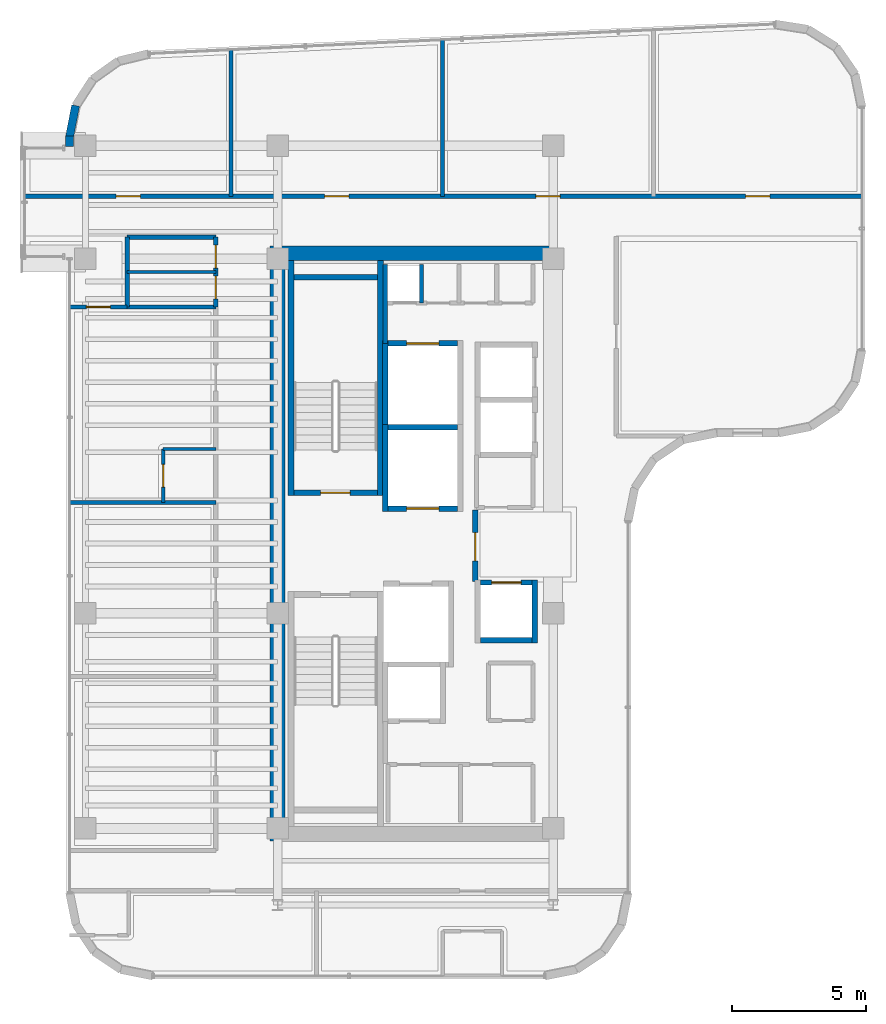
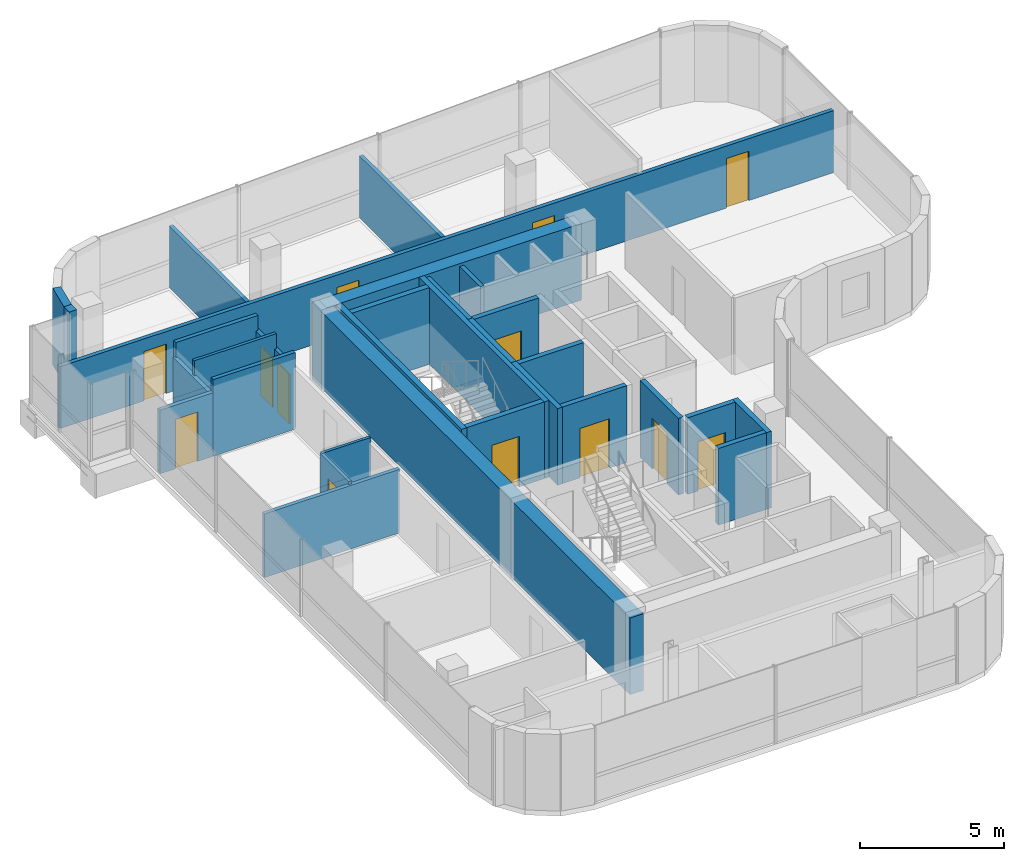
# One storey, part 17 of 21: 31 walls, 13 doors, 13 openings.
"""IFC4 building model written with IfcOpenShell, lengths in metres."""

from ifc_helpers import new_model, si_unit, direction, frame, frame_2d, origin, place, context, subcontext, project, spatial, rectangle, extrude, material, layer, layer_set, type_object, element, fill, save


model = new_model("IFC4")

# Units and contexts
model_context = context("Model", 3, precision=1e-05, world=origin(), true_north=direction((0.0, 1.0)))
body_context = subcontext(model_context, "Body", "Model", "MODEL_VIEW")
ifc_project = project(units=[si_unit("LENGTHUNIT", "METRE"), si_unit("AREAUNIT", "SQUARE_METRE"), si_unit("VOLUMEUNIT", "CUBIC_METRE"), si_unit("PLANEANGLEUNIT", "RADIAN"), si_unit("MASSUNIT", "GRAM", prefix="KILO")], contexts=[model_context])

# Site, building, storey
site_placement = place(None, origin())
site = spatial("IfcSite", under=ifc_project, at=site_placement, CompositionType="ELEMENT")
building_placement = place(site_placement, origin())
building = spatial("IfcBuilding", under=site, at=building_placement, Name="Valdorenza Pilgrim Sanctuary Tower", CompositionType="ELEMENT")
storey_placement = place(building_placement, frame((0.0, 0.0, 258.0)))
storey = spatial("IfcBuildingStorey", under=building, at=storey_placement, Name="L67", CompositionType="ELEMENT", Elevation=258.0)

# Walls
ifc_material_1 = material(Name="Acoustic twin-stud gypsum partition", Category="gypsum")
ifc_layer_1 = layer(ifc_material_1, 0.159912109375, Name="Acoustic twin-stud gypsum partition")
ifc_layer_set_1 = layer_set([ifc_layer_1], Name="Acoustic twin-stud gypsum partition")
wall_type_1 = type_object("IfcWallType", Name="WAL-COR-160", PredefinedType="PARTITIONING", material=ifc_layer_set_1)
wall_1_placement = place(storey_placement, frame((-18.64990234375, 7.449951171875, 0.0), z_axis=(0.0, 0.0, 1.0), x_axis=(0.0, 1.0, 0.0)))
element("IfcWall", 1, at=wall_1_placement, inside=storey, type_object=wall_type_1, Name="L67 Core A North Service West Wall", PredefinedType="PARTITIONING", context=body_context, shape_type="SweptSolid", body=[
    extrude(rectangle(XDim=2.929931640625, YDim=0.159912109375, at=frame_2d((1.46484375, 0.0))), origin(), (0.0, 0.0, 1.0), 3.260009765625),
])
wall_2_placement = place(storey_placement, frame((-17.300048828125, 8.949951171875, 0.0), z_axis=(0.0, 0.0, 1.0), x_axis=(0.0, 1.0, 0.0)))
element("IfcWall", 2, at=wall_2_placement, inside=storey, type_object=wall_type_1, Name="L67 Core Electrical Riser Wall", PredefinedType="PARTITIONING", context=body_context, shape_type="SweptSolid", body=[
    extrude(rectangle(XDim=1.429931640625, YDim=0.159912109375, at=frame_2d((0.71484375, 0.0))), origin(), (0.0, 0.0, 1.0), 3.260009765625),
])
wall_3_placement = place(storey_placement, frame((-28.25, 8.800048828125, 0.0), z_axis=(0.0, 0.0, 1.0), x_axis=(0.0, 1.0, 0.0)))
element("IfcWall", 3, at=wall_3_placement, inside=storey, type_object=wall_type_1, Name="L67 Washroom West Wall", PredefinedType="PARTITIONING", context=body_context, shape_type="SweptSolid", body=[
    extrude(rectangle(XDim=2.599853515625, YDim=0.159912109375, at=frame_2d((1.2998046875, 0.0))), origin(), (0.0, 0.0, 1.0), 2.623046875),
])

# Wall, openings, doors
wall_4_placement = place(storey_placement, frame((-24.949951171875, 8.800048828125, 0.0), z_axis=(0.0, 0.0, 1.0), x_axis=(0.0, 1.0, 0.0)))
wall_4 = element("IfcWall", 4, at=wall_4_placement, inside=storey, type_object=wall_type_1, Name="L67 Washroom East Wall", PredefinedType="PARTITIONING", context=body_context, shape_type="SweptSolid", body=[
    extrude(rectangle(XDim=2.599853515625, YDim=0.159912109375, at=frame_2d((1.2998046875, 0.0))), origin(), (0.0, 0.0, 1.0), 2.623046875),
])
opening_1_placement = place(wall_4_placement, frame((0.300048828125, 0.0, 0.0)))
opening_1 = element("IfcOpeningElement", 5, at=opening_1_placement, cuts=wall_4, Name="Opening DR-WC1", PredefinedType="OPENING", context=body_context, shape_type="SweptSolid", body=[
    extrude(rectangle(XDim=0.85009765625, YDim=2.10009765625, at=frame_2d((0.425048828125, 1.050048828125))), frame((0.0, 0.0947265625, 0.0), z_axis=(0.0, -1.0, 0.0), x_axis=(1.0, 0.0, 0.0)), (0.0, 0.0, 1.0), 0.189697265625),
])
opening_2_placement = place(wall_4_placement, frame((1.449951171875, 0.0, 0.0)))
opening_2 = element("IfcOpeningElement", 6, at=opening_2_placement, cuts=wall_4, Name="Opening DR-WC1", PredefinedType="OPENING", context=body_context, shape_type="SweptSolid", body=[
    extrude(rectangle(XDim=0.85009765625, YDim=2.10009765625, at=frame_2d((0.425048828125, 1.050048828125))), frame((0.0, 0.0947265625, 0.0), z_axis=(0.0, -1.0, 0.0), x_axis=(1.0, 0.0, 0.0)), (0.0, 0.0, 1.0), 0.189697265625),
])
ifc_material_2 = material(Name="Moisture-resistant lacquered timber", Category="wood")
door_type_1 = type_object("IfcDoorType", Name="DR-BATH-850", OperationType="NOTDEFINED", PredefinedType="DOOR", material=ifc_material_2)
door_1_placement = place(opening_1_placement, origin())
door_1 = element("IfcDoor", 7, at=door_1_placement, inside=storey, type_object=door_type_1, Name="L67 Accessible Washroom Door", OperationType="SINGLE_SWING_LEFT", OverallHeight=2.10009765625, OverallWidth=0.85009765625, PredefinedType="DOOR", context=body_context, shape_type="SweptSolid", body=[
    extrude(rectangle(XDim=0.85009765625, YDim=2.10009765625, at=frame_2d((0.425048828125, 1.050048828125))), frame((0.0, 0.02490234375, 0.0), z_axis=(0.0, -1.0, 0.0), x_axis=(1.0, 0.0, 0.0)), (0.0, 0.0, 1.0), 0.050048828125),
])
fill(opening_1, door_1)
door_2_placement = place(opening_2_placement, origin())
door_2 = element("IfcDoor", 8, at=door_2_placement, inside=storey, type_object=door_type_1, Name="L67 Public Washroom Door", OperationType="SINGLE_SWING_RIGHT", OverallHeight=2.10009765625, OverallWidth=0.85009765625, PredefinedType="DOOR", context=body_context, shape_type="SweptSolid", body=[
    extrude(rectangle(XDim=0.85009765625, YDim=2.10009765625, at=frame_2d((0.425048828125, 1.050048828125))), frame((0.0, 0.02490234375, 0.0), z_axis=(0.0, -1.0, 0.0), x_axis=(1.0, 0.0, 0.0)), (0.0, 0.0, 1.0), 0.050048828125),
])
fill(opening_2, door_2)

# Walls
for number, where, z_axis, x_axis, name in (
    (9, (-28.25, 8.800048828125, 0.0), (0.0, 0.0, 1.0), (1.0, 0.0, 0.0), "L67 Washroom South Wall"),
    (10, (-28.25, 11.39990234375, 0.0), (0.0, 0.0, 1.0), (1.0, 0.0, 0.0), "L67 Washroom North Wall"),
):
    element("IfcWall", number, at=place(storey_placement, frame(where, z_axis=z_axis, x_axis=x_axis)), inside=storey, type_object=wall_type_1, Name=name, PredefinedType="PARTITIONING", context=body_context, shape_type="SweptSolid", body=[
        extrude(rectangle(XDim=3.300048828125, YDim=0.159912109375, at=frame_2d((1.64990234375, 0.0))), origin(), (0.0, 0.0, 1.0), 3.260009765625),
    ])

# Wall, opening, door
wall_5_placement = place(storey_placement, frame((-30.389892578125, 8.800048828125, 0.0), z_axis=(0.0, 0.0, 1.0), x_axis=(1.0, 0.0, 0.0)))
wall_5 = element("IfcWall", 11, at=wall_5_placement, inside=storey, type_object=wall_type_1, Name="L67 West North Alcove Wall", PredefinedType="PARTITIONING", context=body_context, shape_type="SweptSolid", body=[
    extrude(rectangle(XDim=2.139892578125, YDim=0.159912109375, at=frame_2d((1.06982421875, 0.0))), origin(), (0.0, 0.0, 1.0), 2.7060546875),
])
opening_3_placement = place(wall_5_placement, frame((0.6201171875, 0.0, 0.0)))
opening_3 = element("IfcOpeningElement", 12, at=opening_3_placement, cuts=wall_5, Name="Opening DR-RM1", PredefinedType="OPENING", context=body_context, shape_type="SweptSolid", body=[
    extrude(rectangle(XDim=0.89990234375, YDim=2.10009765625, at=frame_2d((0.449951171875, 1.050048828125))), frame((0.0, 0.0947265625, 0.0), z_axis=(0.0, -1.0, 0.0), x_axis=(1.0, 0.0, 0.0)), (0.0, 0.0, 1.0), 0.189697265625),
])
ifc_material_3 = material(Name="Solid-core European oak timber", Category="wood")
door_type_2 = type_object("IfcDoorType", Name="DR-ROOM-900", OperationType="NOTDEFINED", PredefinedType="DOOR", material=ifc_material_3)
door_3_placement = place(opening_3_placement, frame((0.89990234375, 0.0, 0.0), z_axis=(0.0, 0.0, 1.0), x_axis=(-1.0, 0.0, 0.0)))
door_3 = element("IfcDoor", 13, at=door_3_placement, inside=storey, type_object=door_type_2, Name="L67 Pilgrim Scholar Office L67-WN Door", OperationType="SINGLE_SWING_LEFT", OverallHeight=2.10009765625, OverallWidth=0.89990234375, PredefinedType="DOOR", context=body_context, shape_type="SweptSolid", body=[
    extrude(rectangle(XDim=0.89990234375, YDim=2.10009765625, at=frame_2d((0.449951171875, 1.050048828125))), frame((0.0, 0.02490234375, 0.0), z_axis=(0.0, -1.0, 0.0), x_axis=(1.0, 0.0, 0.0)), (0.0, 0.0, 1.0), 0.050048828125),
])
fill(opening_3, door_3)

# Wall, openings, doors
wall_6_placement = place(storey_placement, frame((-32.0400390625, 12.919921875, 0.0), z_axis=(0.0, 0.0, 1.0), x_axis=(1.0, 0.0, 0.0)))
wall_6 = element("IfcWall", 14, at=wall_6_placement, inside=storey, type_object=wall_type_1, Name="L67 North Corridor Wall", PredefinedType="PARTITIONING", context=body_context, shape_type="SweptSolid", body=[
    extrude(rectangle(XDim=31.130126953125, YDim=0.159912109375, at=frame_2d((15.56494140625, 0.0))), origin(), (0.0, 0.0, 1.0), 2.634033203125),
])
opening_4_placement = place(wall_6_placement, frame((3.3798828125, 0.0, 0.0)))
opening_4 = element("IfcOpeningElement", 15, at=opening_4_placement, cuts=wall_6, Name="Opening DR-RM1", PredefinedType="OPENING", context=body_context, shape_type="SweptSolid", body=[
    extrude(rectangle(XDim=0.89990234375, YDim=2.10009765625, at=frame_2d((0.449951171875, 1.050048828125))), frame((0.0, 0.0947265625, 0.0), z_axis=(0.0, -1.0, 0.0), x_axis=(1.0, 0.0, 0.0)), (0.0, 0.0, 1.0), 0.189697265625),
])
opening_5_placement = place(wall_6_placement, frame((11.139892578125, 0.0, 0.0)))
opening_5 = element("IfcOpeningElement", 16, at=opening_5_placement, cuts=wall_6, Name="Opening DR-RM1", PredefinedType="OPENING", context=body_context, shape_type="SweptSolid", body=[
    extrude(rectangle(XDim=0.89990234375, YDim=2.10009765625, at=frame_2d((0.449951171875, 1.050048828125))), frame((0.0, 0.0947265625, 0.0), z_axis=(0.0, -1.0, 0.0), x_axis=(1.0, 0.0, 0.0)), (0.0, 0.0, 1.0), 0.189697265625),
])
opening_6_placement = place(wall_6_placement, frame((19.0, 0.0, 0.0)))
opening_6 = element("IfcOpeningElement", 17, at=opening_6_placement, cuts=wall_6, Name="Opening DR-RM1", PredefinedType="OPENING", context=body_context, shape_type="SweptSolid", body=[
    extrude(rectangle(XDim=0.89990234375, YDim=2.10009765625, at=frame_2d((0.449951171875, 1.050048828125))), frame((0.0, 0.0947265625, 0.0), z_axis=(0.0, -1.0, 0.0), x_axis=(1.0, 0.0, 0.0)), (0.0, 0.0, 1.0), 0.189697265625),
])
opening_7_placement = place(wall_6_placement, frame((26.804931640625, 0.0, 0.0)))
opening_7 = element("IfcOpeningElement", 18, at=opening_7_placement, cuts=wall_6, Name="Opening DR-RM1", PredefinedType="OPENING", context=body_context, shape_type="SweptSolid", body=[
    extrude(rectangle(XDim=0.89990234375, YDim=2.10009765625, at=frame_2d((0.449951171875, 1.050048828125))), frame((0.0, 0.0947265625, 0.0), z_axis=(0.0, -1.0, 0.0), x_axis=(1.0, 0.0, 0.0)), (0.0, 0.0, 1.0), 0.189697265625),
])
door_4_placement = place(opening_4_placement, origin())
door_4 = element("IfcDoor", 19, at=door_4_placement, inside=storey, type_object=door_type_2, Name="L67 Sanctuary Administration Office L67-N1 Door", OperationType="SINGLE_SWING_RIGHT", OverallHeight=2.10009765625, OverallWidth=0.89990234375, PredefinedType="DOOR", context=body_context, shape_type="SweptSolid", body=[
    extrude(rectangle(XDim=0.89990234375, YDim=2.10009765625, at=frame_2d((0.449951171875, 1.050048828125))), frame((0.0, 0.02490234375, 0.0), z_axis=(0.0, -1.0, 0.0), x_axis=(1.0, 0.0, 0.0)), (0.0, 0.0, 1.0), 0.050048828125),
])
fill(opening_4, door_4)
door_5_placement = place(opening_5_placement, frame((0.89990234375, 0.0, 0.0), z_axis=(0.0, 0.0, 1.0), x_axis=(-1.0, 0.0, 0.0)))
door_5 = element("IfcDoor", 20, at=door_5_placement, inside=storey, type_object=door_type_2, Name="L67 Sanctuary Administration Office L67-N2 Door", OperationType="SINGLE_SWING_LEFT", OverallHeight=2.10009765625, OverallWidth=0.89990234375, PredefinedType="DOOR", context=body_context, shape_type="SweptSolid", body=[
    extrude(rectangle(XDim=0.89990234375, YDim=2.10009765625, at=frame_2d((0.449951171875, 1.050048828125))), frame((0.0, 0.02490234375, 0.0), z_axis=(0.0, -1.0, 0.0), x_axis=(1.0, 0.0, 0.0)), (0.0, 0.0, 1.0), 0.050048828125),
])
fill(opening_5, door_5)
door_6_placement = place(opening_6_placement, origin())
door_6 = element("IfcDoor", 21, at=door_6_placement, inside=storey, type_object=door_type_2, Name="L67 Sanctuary Administration Office L67-N3 Door", OperationType="SINGLE_SWING_RIGHT", OverallHeight=2.10009765625, OverallWidth=0.89990234375, PredefinedType="DOOR", context=body_context, shape_type="SweptSolid", body=[
    extrude(rectangle(XDim=0.89990234375, YDim=2.10009765625, at=frame_2d((0.449951171875, 1.050048828125))), frame((0.0, 0.02490234375, 0.0), z_axis=(0.0, -1.0, 0.0), x_axis=(1.0, 0.0, 0.0)), (0.0, 0.0, 1.0), 0.050048828125),
])
fill(opening_6, door_6)
door_7_placement = place(opening_7_placement, frame((0.89990234375, 0.0, 0.0), z_axis=(0.0, 0.0, 1.0), x_axis=(-1.0, 0.0, 0.0)))
door_7 = element("IfcDoor", 22, at=door_7_placement, inside=storey, type_object=door_type_2, Name="L67 Sanctuary Administration Office L67-N4 Door", OperationType="SINGLE_SWING_LEFT", OverallHeight=2.10009765625, OverallWidth=0.89990234375, PredefinedType="DOOR", context=body_context, shape_type="SweptSolid", body=[
    extrude(rectangle(XDim=0.89990234375, YDim=2.10009765625, at=frame_2d((0.449951171875, 1.050048828125))), frame((0.0, 0.02490234375, 0.0), z_axis=(0.0, -1.0, 0.0), x_axis=(1.0, 0.0, 0.0)), (0.0, 0.0, 1.0), 0.050048828125),
])
fill(opening_7, door_7)

# Walls
ifc_material_4 = material(Name="Concrete C50/60", Category="concrete")
ifc_layer_2 = layer(ifc_material_4, 0.550048828125, Name="Concrete C50/60")
ifc_layer_set_2 = layer_set([ifc_layer_2], Name="Concrete C50/60")
wall_type_2 = type_object("IfcWallType", Name="WAL-COR-550", PredefinedType="SHEAR", material=ifc_layer_set_2)
wall_7_placement = place(storey_placement, frame((-22.64990234375, -11.074951171875, 0.0), z_axis=(0.0, 0.0, 1.0), x_axis=(0.0, 1.0, 0.0)))
element("IfcWall", 23, at=wall_7_placement, inside=storey, type_object=wall_type_2, Name="L67 Split Core A Shear Wall W", PredefinedType="SHEAR", context=body_context, shape_type="SweptSolid", body=[
    extrude(rectangle(XDim=22.14990234375, YDim=0.550048828125, at=frame_2d((11.074951171875, 0.0))), origin(), (0.0, 0.0, 1.0), 3.260009765625),
])
wall_8_placement = place(storey_placement, frame((-22.64990234375, 10.800048828125, 0.0), z_axis=(0.0, 0.0, 1.0), x_axis=(1.0, 0.0, 0.0)))
element("IfcWall", 24, at=wall_8_placement, inside=storey, type_object=wall_type_2, Name="L67 Split Core A Shear Wall N", PredefinedType="SHEAR", context=body_context, shape_type="SweptSolid", body=[
    extrude(rectangle(XDim=10.25, YDim=0.550048828125, at=frame_2d((5.125, 0.0))), origin(), (0.0, 0.0, 1.0), 3.260009765625),
])
ifc_material_5 = material(Name="Honed travertine limestone", Category="masonry")
ifc_layer_3 = layer(ifc_material_5, 0.300048828125, Name="Honed travertine limestone")
ifc_layer_set_3 = layer_set([ifc_layer_3], Name="Honed travertine limestone")
wall_type_3 = type_object("IfcWallType", Name="WAL-EXT-300", PredefinedType="SOLIDWALL", material=ifc_layer_set_3)
wall_9_placement = place(storey_placement, frame((-30.389892578125, 14.780029296875, 0.0), z_axis=(0.0, 0.0, 1.0), x_axis=(0.0, 1.0, 0.0)))
element("IfcWall", 25, at=wall_9_placement, inside=storey, type_object=wall_type_3, Name="L67 Facade Box Closure Stone Jamb 2", PredefinedType="SOLIDWALL", context=body_context, shape_type="SweptSolid", body=[
    extrude(rectangle(XDim=0.376708984375, YDim=0.300048828125, at=frame_2d((0.1884765625, 0.0))), origin(), (0.0, 0.0, 1.0), 3.260009765625),
])
wall_10_placement = place(storey_placement, frame((-30.389892578125, 15.13671875, 0.0), z_axis=(0.0, 0.0, 1.0), x_axis=(0.189307792679, 0.981917796779, 0.0)))
element("IfcWall", 26, at=wall_10_placement, inside=storey, type_object=wall_type_3, Name="L67 Rounded Wind-Corner Stone Pier 2", PredefinedType="SOLIDWALL", context=body_context, shape_type="SweptSolid", body=[
    extrude(rectangle(XDim=1.179931640625, YDim=0.300048828125, at=frame_2d((0.58984375, 0.0))), origin(), (0.0, 0.0, 1.0), 3.260009765625),
])

# Wall, opening, door
ifc_material_6 = material(Name="Gypsum shaftwall partition", Category="gypsum")
ifc_layer_4 = layer(ifc_material_6, 0.199951171875, Name="Gypsum shaftwall partition")
ifc_layer_set_4 = layer_set([ifc_layer_4], Name="Gypsum shaftwall partition")
wall_type_4 = type_object("IfcWallType", Name="WAL-FFL-200", PredefinedType="PARTITIONING", material=ifc_layer_set_4)
wall_11_placement = place(storey_placement, frame((-15.300048828125, -1.419921875, 0.0), z_axis=(0.0, 0.0, 1.0), x_axis=(0.0, 1.0, 0.0)))
wall_11 = element("IfcWall", 27, at=wall_11_placement, inside=storey, type_object=wall_type_4, Name="L67 Core A Firefighting Lobby East Wall", PredefinedType="PARTITIONING", context=body_context, shape_type="SweptSolid", body=[
    extrude(rectangle(XDim=2.669921875, YDim=0.199951171875, at=frame_2d((1.3349609375, 0.0))), origin(), (0.0, 0.0, 1.0), 3.260009765625),
])
opening_8_placement = place(wall_11_placement, frame((0.780029296875, 0.0, 0.0)))
opening_8 = element("IfcOpeningElement", 28, at=opening_8_placement, cuts=wall_11, Name="Opening DR-FL1", PredefinedType="OPENING", context=body_context, shape_type="SweptSolid", body=[
    extrude(rectangle(XDim=1.050048828125, YDim=2.14990234375, at=frame_2d((0.52490234375, 1.074951171875))), frame((0.0, 0.11474609375, 0.0), z_axis=(0.0, -1.0, 0.0), x_axis=(1.0, 0.0, 0.0)), (0.0, 0.0, 1.0), 0.229736328125),
])
ifc_material_7 = material(Name="Painted galvanized steel", Category="steel")
door_type_3 = type_object("IfcDoorType", Name="DR-FFL-1050", OperationType="NOTDEFINED", PredefinedType="DOOR", material=ifc_material_7)
door_8_placement = place(opening_8_placement, origin())
door_8 = element("IfcDoor", 29, at=door_8_placement, inside=storey, type_object=door_type_3, Name="L67 Core A Firefighting Lobby Door", OperationType="SINGLE_SWING_RIGHT", OverallHeight=2.14990234375, OverallWidth=1.050048828125, PredefinedType="DOOR", context=body_context, shape_type="SweptSolid", body=[
    extrude(rectangle(XDim=1.050048828125, YDim=2.14990234375, at=frame_2d((0.52490234375, 1.074951171875))), frame((0.0, 0.02490234375, 0.0), z_axis=(0.0, -1.0, 0.0), x_axis=(1.0, 0.0, 0.0)), (0.0, 0.0, 1.0), 0.050048828125),
])
fill(opening_8, door_8)

# Walls
ifc_material_8 = material(Name="Moisture-resistant gypsum partition", Category="gypsum")
ifc_layer_5 = layer(ifc_material_8, 0.1201171875, Name="Moisture-resistant gypsum partition")
ifc_layer_set_5 = layer_set([ifc_layer_5], Name="Moisture-resistant gypsum partition")
wall_type_5 = type_object("IfcWallType", Name="WAL-INT-120", PredefinedType="PARTITIONING", material=ifc_layer_set_5)
wall_12_placement = place(storey_placement, frame((-28.25, 10.10009765625, 0.0), z_axis=(0.0, 0.0, 1.0), x_axis=(1.0, 0.0, 0.0)))
element("IfcWall", 30, at=wall_12_placement, inside=storey, type_object=wall_type_5, Name="L67 Washroom Divider Wall", PredefinedType="PARTITIONING", context=body_context, shape_type="SweptSolid", body=[
    extrude(rectangle(XDim=3.300048828125, YDim=0.1201171875, at=frame_2d((1.64990234375, 0.0))), origin(), (0.0, 0.0, 1.0), 3.260009765625),
])
wall_13_placement = place(storey_placement, frame((-26.907958984375, 3.52099609375, 0.0), z_axis=(0.0, 0.0, 1.0), x_axis=(1.0, 0.0, 0.0)))
element("IfcWall", 31, at=wall_13_placement, inside=storey, type_object=wall_type_5, Name="L67 Sanctuary Guest Room L67-HW1 En-suite North Wall", PredefinedType="PARTITIONING", context=body_context, shape_type="SweptSolid", body=[
    extrude(rectangle(XDim=1.9580078125, YDim=0.1201171875, at=frame_2d((0.97900390625, 0.0))), origin(), (0.0, 0.0, 1.0), 2.839111328125),
])

# Wall, opening, door
wall_14_placement = place(storey_placement, frame((-26.907958984375, 1.52099609375, 0.0), z_axis=(0.0, 0.0, 1.0), x_axis=(0.0, 1.0, 0.0)))
wall_14 = element("IfcWall", 32, at=wall_14_placement, inside=storey, type_object=wall_type_5, Name="L67 Sanctuary Guest Room L67-HW1 En-suite Door Wall", PredefinedType="PARTITIONING", context=body_context, shape_type="SweptSolid", body=[
    extrude(rectangle(XDim=2.0, YDim=0.1201171875, at=frame_2d((1.0, 0.0))), origin(), (0.0, 0.0, 1.0), 2.839111328125),
])
opening_9_placement = place(wall_14_placement, frame((0.574951171875, 0.0, 0.0)))
opening_9 = element("IfcOpeningElement", 33, at=opening_9_placement, cuts=wall_14, Name="Opening DR-WC1", PredefinedType="OPENING", context=body_context, shape_type="SweptSolid", body=[
    extrude(rectangle(XDim=0.85009765625, YDim=2.10009765625, at=frame_2d((0.425048828125, 1.050048828125))), frame((0.0, 0.074951171875, 0.0), z_axis=(0.0, -1.0, 0.0), x_axis=(1.0, 0.0, 0.0)), (0.0, 0.0, 1.0), 0.14990234375),
])
door_9_placement = place(opening_9_placement, origin())
door_9 = element("IfcDoor", 34, at=door_9_placement, inside=storey, type_object=door_type_1, Name="L67 Sanctuary Guest Room L67-HW1 En-suite Bathroom Door", OperationType="SINGLE_SWING_LEFT", OverallHeight=2.10009765625, OverallWidth=0.85009765625, PredefinedType="DOOR", context=body_context, shape_type="SweptSolid", body=[
    extrude(rectangle(XDim=0.85009765625, YDim=2.10009765625, at=frame_2d((0.425048828125, 1.050048828125))), frame((0.0, 0.02490234375, 0.0), z_axis=(0.0, -1.0, 0.0), x_axis=(1.0, 0.0, 0.0)), (0.0, 0.0, 1.0), 0.050048828125),
])
fill(opening_9, door_9)

# Wall
ifc_material_9 = material(Name="Autoclaved aerated concrete blockwork", Category="masonry")
ifc_layer_6 = layer(ifc_material_9, 0.199951171875, Name="Autoclaved aerated concrete blockwork")
ifc_layer_set_6 = layer_set([ifc_layer_6], Name="Autoclaved aerated concrete blockwork")
wall_type_6 = type_object("IfcWallType", Name="WAL-SHF-200", PredefinedType="MOVABLE", material=ifc_layer_set_6)
wall_15_placement = place(storey_placement, frame((-18.64990234375, 1.199951171875, 0.0), z_axis=(0.0, 0.0, 1.0), x_axis=(0.0, 1.0, 0.0)))
element("IfcWall", 35, at=wall_15_placement, inside=storey, type_object=wall_type_6, Name="L67 Lift FFL-01 Hoistway Wall West", PredefinedType="MOVABLE", context=body_context, shape_type="SweptSolid", body=[
    extrude(rectangle(XDim=3.22509765625, YDim=0.199951171875, at=frame_2d((1.612548828125, 0.0))), origin(), (0.0, 0.0, 1.0), 3.260009765625),
])

# Wall, opening, door
wall_16_placement = place(storey_placement, frame((-18.550048828125, 1.300048828125, 0.0), z_axis=(0.0, 0.0, 1.0), x_axis=(1.0, 0.0, 0.0)))
wall_16 = element("IfcWall", 36, at=wall_16_placement, inside=storey, type_object=wall_type_6, Name="L67 Lift FFL-01 Hoistway Wall South", PredefinedType="MOVABLE", context=body_context, shape_type="SweptSolid", body=[
    extrude(rectangle(XDim=2.60009765625, YDim=0.199951171875, at=frame_2d((1.300048828125, 0.0))), origin(), (0.0, 0.0, 1.0), 3.260009765625),
])
opening_10_placement = place(wall_16_placement, frame((0.699951171875, 0.0, 0.0)))
opening_10 = element("IfcOpeningElement", 37, at=opening_10_placement, cuts=wall_16, Name="Opening LD-02", PredefinedType="OPENING", context=body_context, shape_type="SweptSolid", body=[
    extrude(rectangle(XDim=1.199951171875, YDim=2.10009765625, at=frame_2d((0.60009765625, 1.050048828125))), frame((0.0, 0.11474609375, 0.0), z_axis=(0.0, -1.0, 0.0), x_axis=(1.0, 0.0, 0.0)), (0.0, 0.0, 1.0), 0.229736328125),
])
ifc_material_10 = material(Name="Brushed stainless steel Grade 316", Category="steel")
door_type_4 = type_object("IfcDoorType", Name="DR-LFT-1200", OperationType="DOUBLE_DOOR_SLIDING", PredefinedType="DOOR", material=ifc_material_10)
door_10_placement = place(opening_10_placement, origin())
door_10 = element("IfcDoor", 38, at=door_10_placement, inside=storey, type_object=door_type_4, Name="L67 Lift FFL-01 Sliding Landing Door", OperationType="DOUBLE_DOOR_SLIDING", OverallHeight=2.10009765625, OverallWidth=1.199951171875, PredefinedType="DOOR", context=body_context, shape_type="SweptSolid", body=[
    extrude(rectangle(XDim=1.199951171875, YDim=2.10009765625, at=frame_2d((0.60009765625, 1.050048828125))), frame((0.0, 0.02490234375, 0.0), z_axis=(0.0, -1.0, 0.0), x_axis=(1.0, 0.0, 0.0)), (0.0, 0.0, 1.0), 0.050048828125),
])
fill(opening_10, door_10)

# Walls
wall_17_placement = place(storey_placement, frame((-18.550048828125, 4.324951171875, 0.0), z_axis=(0.0, 0.0, 1.0), x_axis=(1.0, 0.0, 0.0)))
element("IfcWall", 39, at=wall_17_placement, inside=storey, type_object=wall_type_6, Name="L67 Lift FFL-01 Hoistway Wall North", PredefinedType="MOVABLE", context=body_context, shape_type="SweptSolid", body=[
    extrude(rectangle(XDim=2.60009765625, YDim=0.199951171875, at=frame_2d((1.300048828125, 0.0))), origin(), (0.0, 0.0, 1.0), 3.260009765625),
])
wall_18_placement = place(storey_placement, frame((-18.64990234375, 4.22509765625, 0.0), z_axis=(0.0, 0.0, 1.0), x_axis=(0.0, 1.0, 0.0)))
element("IfcWall", 40, at=wall_18_placement, inside=storey, type_object=wall_type_6, Name="L67 Lift SVL-01 Hoistway Wall West", PredefinedType="MOVABLE", context=body_context, shape_type="SweptSolid", body=[
    extrude(rectangle(XDim=3.324951171875, YDim=0.199951171875, at=frame_2d((1.66259765625, 0.0))), origin(), (0.0, 0.0, 1.0), 3.260009765625),
])

# Wall, opening, door
wall_19_placement = place(storey_placement, frame((-18.550048828125, 7.449951171875, 0.0), z_axis=(0.0, 0.0, 1.0), x_axis=(1.0, 0.0, 0.0)))
wall_19 = element("IfcWall", 41, at=wall_19_placement, inside=storey, type_object=wall_type_6, Name="L67 Lift SVL-01 Hoistway Wall North", PredefinedType="MOVABLE", context=body_context, shape_type="SweptSolid", body=[
    extrude(rectangle(XDim=2.60009765625, YDim=0.199951171875, at=frame_2d((1.300048828125, 0.0))), origin(), (0.0, 0.0, 1.0), 3.260009765625),
])
opening_11_placement = place(wall_19_placement, frame((0.699951171875, 0.0, 0.0)))
opening_11 = element("IfcOpeningElement", 42, at=opening_11_placement, cuts=wall_19, Name="Opening LD-02", PredefinedType="OPENING", context=body_context, shape_type="SweptSolid", body=[
    extrude(rectangle(XDim=1.199951171875, YDim=2.10009765625, at=frame_2d((0.60009765625, 1.050048828125))), frame((0.0, 0.11474609375, 0.0), z_axis=(0.0, -1.0, 0.0), x_axis=(1.0, 0.0, 0.0)), (0.0, 0.0, 1.0), 0.229736328125),
])
door_11_placement = place(opening_11_placement, origin())
door_11 = element("IfcDoor", 43, at=door_11_placement, inside=storey, type_object=door_type_4, Name="L67 Lift SVL-01 Sliding Landing Door", OperationType="DOUBLE_DOOR_SLIDING", OverallHeight=2.10009765625, OverallWidth=1.199951171875, PredefinedType="DOOR", context=body_context, shape_type="SweptSolid", body=[
    extrude(rectangle(XDim=1.199951171875, YDim=2.10009765625, at=frame_2d((0.60009765625, 1.050048828125))), frame((0.0, 0.02490234375, 0.0), z_axis=(0.0, -1.0, 0.0), x_axis=(1.0, 0.0, 0.0)), (0.0, 0.0, 1.0), 0.050048828125),
])
fill(opening_11, door_11)

# Walls
wall_20_placement = place(storey_placement, frame((-13.080078125, -3.699951171875, 0.0), z_axis=(0.0, 0.0, 1.0), x_axis=(0.0, 1.0, 0.0)))
element("IfcWall", 44, at=wall_20_placement, inside=storey, type_object=wall_type_6, Name="L67 Lift PL-12 Hoistway Wall East", PredefinedType="MOVABLE", context=body_context, shape_type="SweptSolid", body=[
    extrude(rectangle(XDim=2.349853515625, YDim=0.199951171875, at=frame_2d((1.1748046875, 0.0))), origin(), (0.0, 0.0, 1.0), 3.260009765625),
])
wall_21_placement = place(storey_placement, frame((-15.10009765625, -3.60009765625, 0.0), z_axis=(0.0, 0.0, 1.0), x_axis=(1.0, 0.0, 0.0)))
element("IfcWall", 45, at=wall_21_placement, inside=storey, type_object=wall_type_6, Name="L67 Lift PL-12 Hoistway Wall South", PredefinedType="MOVABLE", context=body_context, shape_type="SweptSolid", body=[
    extrude(rectangle(XDim=1.920166015625, YDim=0.199951171875, at=frame_2d((0.9599609375, 0.0))), origin(), (0.0, 0.0, 1.0), 3.260009765625),
])

# Wall, opening, door
wall_22_placement = place(storey_placement, frame((-15.10009765625, -1.449951171875, 0.0), z_axis=(0.0, 0.0, 1.0), x_axis=(1.0, 0.0, 0.0)))
wall_22 = element("IfcWall", 46, at=wall_22_placement, inside=storey, type_object=wall_type_6, Name="L67 Lift PL-12 Hoistway Wall North", PredefinedType="MOVABLE", context=body_context, shape_type="SweptSolid", body=[
    extrude(rectangle(XDim=1.920166015625, YDim=0.199951171875, at=frame_2d((0.9599609375, 0.0))), origin(), (0.0, 0.0, 1.0), 3.260009765625),
])
opening_12_placement = place(wall_22_placement, frame((0.409912109375, 0.0, 0.0)))
opening_12 = element("IfcOpeningElement", 47, at=opening_12_placement, cuts=wall_22, Name="Opening LD-01", PredefinedType="OPENING", context=body_context, shape_type="SweptSolid", body=[
    extrude(rectangle(XDim=1.10009765625, YDim=2.10009765625, at=frame_2d((0.550048828125, 1.050048828125))), frame((0.0, 0.11474609375, 0.0), z_axis=(0.0, -1.0, 0.0), x_axis=(1.0, 0.0, 0.0)), (0.0, 0.0, 1.0), 0.229736328125),
])
door_type_5 = type_object("IfcDoorType", Name="DR-LFT-1100", OperationType="DOUBLE_DOOR_SLIDING", PredefinedType="DOOR", material=ifc_material_10)
door_12_placement = place(opening_12_placement, origin())
door_12 = element("IfcDoor", 48, at=door_12_placement, inside=storey, type_object=door_type_5, Name="L67 Lift PL-12 Sliding Landing Door", OperationType="DOUBLE_DOOR_SLIDING", OverallHeight=2.10009765625, OverallWidth=1.10009765625, PredefinedType="DOOR", context=body_context, shape_type="SweptSolid", body=[
    extrude(rectangle(XDim=1.10009765625, YDim=2.10009765625, at=frame_2d((0.550048828125, 1.050048828125))), frame((0.0, 0.02490234375, 0.0), z_axis=(0.0, -1.0, 0.0), x_axis=(1.0, 0.0, 0.0)), (0.0, 0.0, 1.0), 0.050048828125),
])
fill(opening_12, door_12)

# Walls
ifc_material_11 = material(Name="Concrete C40/50", Category="concrete")
ifc_layer_7 = layer(ifc_material_11, 0.219970703125, Name="Concrete C40/50")
ifc_layer_set_7 = layer_set([ifc_layer_7], Name="Concrete C40/50")
wall_type_7 = type_object("IfcWallType", Name="WAL-STR-SHF-220", PredefinedType="SHEAR", material=ifc_layer_set_7)
for number, where, z_axis, x_axis, name in (
    (49, (-22.159912109375, 1.780029296875, 0.0), (0.0, 0.0, 1.0), (0.0, 1.0, 0.0), "L67 ST-A1 Structural Stairwell Wall W"),
    (50, (-18.830078125, 1.780029296875, 0.0), (0.0, 0.0, 1.0), (0.0, 1.0, 0.0), "L67 ST-A1 Structural Stairwell Wall E"),
):
    element("IfcWall", number, at=place(storey_placement, frame(where, z_axis=z_axis, x_axis=x_axis)), inside=storey, type_object=wall_type_7, Name=name, PredefinedType="SHEAR", context=body_context, shape_type="SweptSolid", body=[
        extrude(rectangle(XDim=8.744873046875, YDim=0.219970703125, at=frame_2d((4.37255859375, 0.0))), origin(), (0.0, 0.0, 1.0), 3.260009765625),
    ])

# Wall, opening, door
wall_23_placement = place(storey_placement, frame((-22.050048828125, 1.889892578125, 0.0), z_axis=(0.0, 0.0, 1.0), x_axis=(1.0, 0.0, 0.0)))
wall_23 = element("IfcWall", 51, at=wall_23_placement, inside=storey, type_object=wall_type_7, Name="L67 ST-A1 Structural Stairwell Wall S", PredefinedType="SHEAR", context=body_context, shape_type="SweptSolid", body=[
    extrude(rectangle(XDim=3.110107421875, YDim=0.219970703125, at=frame_2d((1.55517578125, 0.0))), origin(), (0.0, 0.0, 1.0), 3.260009765625),
])
opening_13_placement = place(wall_23_placement, frame((1.0, 0.0, 0.0)))
opening_13 = element("IfcOpeningElement", 52, at=opening_13_placement, cuts=wall_23, Name="Opening DR-ST1", PredefinedType="OPENING", context=body_context, shape_type="SweptSolid", body=[
    extrude(rectangle(XDim=1.10009765625, YDim=2.14990234375, at=frame_2d((0.550048828125, 1.074951171875))), frame((0.0, 0.125, 0.0), z_axis=(0.0, -1.0, 0.0), x_axis=(1.0, 0.0, 0.0)), (0.0, 0.0, 1.0), 0.249755859375),
])
door_type_6 = type_object("IfcDoorType", Name="DR-STAIR-1100", OperationType="NOTDEFINED", PredefinedType="DOOR", material=ifc_material_7)
door_13_placement = place(opening_13_placement, frame((1.10009765625, 0.0, 0.0), z_axis=(0.0, 0.0, 1.0), x_axis=(-1.0, 0.0, 0.0)))
door_13 = element("IfcDoor", 53, at=door_13_placement, inside=storey, type_object=door_type_6, Name="L67 Exit Stair ST-A1 Door", OperationType="SINGLE_SWING_LEFT", OverallHeight=2.14990234375, OverallWidth=1.10009765625, PredefinedType="DOOR", context=body_context, shape_type="SweptSolid", body=[
    extrude(rectangle(XDim=1.10009765625, YDim=2.14990234375, at=frame_2d((0.550048828125, 1.074951171875))), frame((0.0, 0.02490234375, 0.0), z_axis=(0.0, -1.0, 0.0), x_axis=(1.0, 0.0, 0.0)), (0.0, 0.0, 1.0), 0.050048828125),
])
fill(opening_13, door_13)

# Walls
wall_24_placement = place(storey_placement, frame((-22.050048828125, 9.909912109375, 0.0), z_axis=(0.0, 0.0, 1.0), x_axis=(1.0, 0.0, 0.0)))
element("IfcWall", 54, at=wall_24_placement, inside=storey, type_object=wall_type_7, Name="L67 ST-A1 Structural Stairwell Wall N", PredefinedType="SHEAR", context=body_context, shape_type="SweptSolid", body=[
    extrude(rectangle(XDim=3.110107421875, YDim=0.219970703125, at=frame_2d((1.55517578125, 0.0))), origin(), (0.0, 0.0, 1.0), 3.260009765625),
])
ifc_layer_8 = layer(ifc_material_1, 0.14990234375, Name="Acoustic twin-stud gypsum partition")
ifc_layer_set_8 = layer_set([ifc_layer_8], Name="Acoustic twin-stud gypsum partition")
wall_type_8 = type_object("IfcWallType", Name="WAL-UNT-150", PredefinedType="PARTITIONING", material=ifc_layer_set_8)
wall_25_placement = place(storey_placement, frame((-30.389892578125, 1.52099609375, 0.0), z_axis=(0.0, 0.0, 1.0), x_axis=(1.0, 0.0, 0.0)))
element("IfcWall", 55, at=wall_25_placement, inside=storey, type_object=wall_type_8, Name="L67 West Hybrid Split", PredefinedType="PARTITIONING", context=body_context, shape_type="SweptSolid", body=[
    extrude(rectangle(XDim=5.43994140625, YDim=0.14990234375, at=frame_2d((2.719970703125, 0.0))), origin(), (0.0, 0.0, 1.0), 2.7060546875),
])
wall_26_placement = place(storey_placement, frame((-24.3798828125, 12.919921875, 0.0), z_axis=(0.0, 0.0, 1.0), x_axis=(0.0, 1.0, 0.0)))
element("IfcWall", 56, at=wall_26_placement, inside=storey, type_object=wall_type_8, Name="L67 Sanctuary Administration Office L67-N2 Demising Wall", PredefinedType="PARTITIONING", context=body_context, shape_type="SweptSolid", body=[
    extrude(rectangle(XDim=5.45849609375, YDim=0.14990234375, at=frame_2d((2.729248046875, 0.0))), origin(), (0.0, 0.0, 1.0), 2.623046875),
])
wall_27_placement = place(storey_placement, frame((-16.52001953125, 12.919921875, 0.0), z_axis=(0.0, 0.0, 1.0), x_axis=(0.0, 1.0, 0.0)))
element("IfcWall", 57, at=wall_27_placement, inside=storey, type_object=wall_type_8, Name="L67 Sanctuary Administration Office L67-N3 Demising Wall", PredefinedType="PARTITIONING", context=body_context, shape_type="SweptSolid", body=[
    extrude(rectangle(XDim=5.828857421875, YDim=0.14990234375, at=frame_2d((2.91455078125, 0.0))), origin(), (0.0, 0.0, 1.0), 2.623046875),
])

save(model, "model.ifc")
